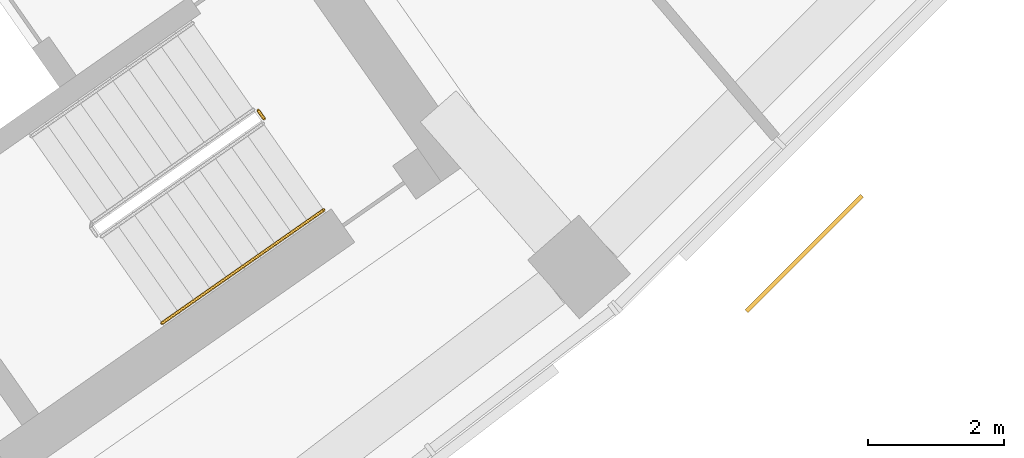
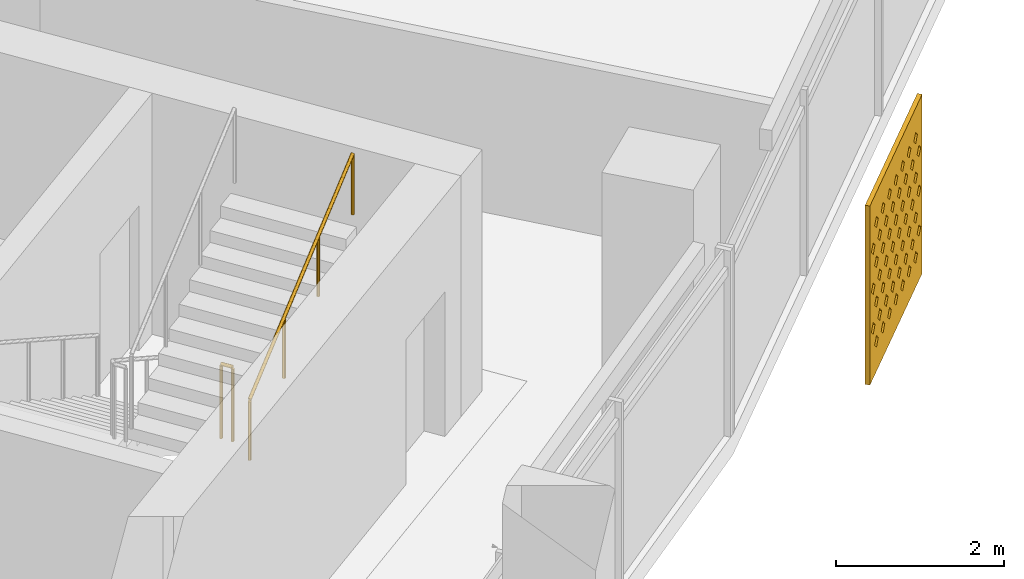
# One storey, part 27 of 27: 2 railings, 1 shading device.
"""IFC4 building model written with IfcOpenShell, lengths in metres."""

from ifc_helpers import new_model, si_unit, direction, frame, origin, origin_2d, place, context, subcontext, project, spatial, polyline, circle, outline, extrude, material, material_profile, profile_set, type_object, element, save


model = new_model("IFC4")

# Units and contexts
model_context = context("Model", 3, precision=1e-05, world=origin(), true_north=direction((0.0, 1.0)))
body_context = subcontext(model_context, "Body", "Model", "MODEL_VIEW")
ifc_project = project(units=[si_unit("LENGTHUNIT", "METRE"), si_unit("AREAUNIT", "SQUARE_METRE"), si_unit("VOLUMEUNIT", "CUBIC_METRE"), si_unit("PLANEANGLEUNIT", "RADIAN"), si_unit("MASSUNIT", "GRAM", prefix="KILO")], contexts=[model_context])

# Site, building, storey
site_placement = place(None, origin())
site = spatial("IfcSite", under=ifc_project, at=site_placement, CompositionType="ELEMENT")
building_placement = place(site_placement, origin())
building = spatial("IfcBuilding", under=site, at=building_placement, Name="Qamariyya Broadcast Tower", CompositionType="ELEMENT")
storey_placement = place(building_placement, frame((0.0, 0.0, 237.89990234375)))
storey = spatial("IfcBuildingStorey", under=building, at=storey_placement, Name="L57", CompositionType="ELEMENT", Elevation=237.89990234375)

# Shading device
ifc_material_1 = material(Name="Perforated glazed terracotta", Category="masonry")
ifc_material_profile = material_profile(ifc_material_1, outline(polyline([(-1.199951171875, -1.300048828125), (1.199951171875, -1.300048828125), (1.199951171875, 1.300048828125), (-1.199951171875, 1.300048828125), (-1.199951171875, -1.300048828125)]), holes=[polyline([(-0.81494140625, -0.86669921875), (-0.89990234375, -0.78173828125), (-0.985107421875, -0.86669921875), (-0.89990234375, -0.95166015625), (-0.81494140625, -0.86669921875)]), polyline([(-0.514892578125, -0.86669921875), (-0.60009765625, -0.78173828125), (-0.68505859375, -0.86669921875), (-0.60009765625, -0.95166015625), (-0.514892578125, -0.86669921875)]), polyline([(-0.215087890625, -0.86669921875), (-0.300048828125, -0.78173828125), (-0.385009765625, -0.86669921875), (-0.300048828125, -0.95166015625), (-0.215087890625, -0.86669921875)]), polyline([(0.0849609375, -0.86669921875), (0.0, -0.78173828125), (-0.0849609375, -0.86669921875), (0.0, -0.95166015625), (0.0849609375, -0.86669921875)]), polyline([(0.385009765625, -0.86669921875), (0.300048828125, -0.78173828125), (0.215087890625, -0.86669921875), (0.300048828125, -0.95166015625), (0.385009765625, -0.86669921875)]), polyline([(0.68505859375, -0.86669921875), (0.60009765625, -0.78173828125), (0.514892578125, -0.86669921875), (0.60009765625, -0.95166015625), (0.68505859375, -0.86669921875)]), polyline([(0.985107421875, -0.86669921875), (0.89990234375, -0.78173828125), (0.81494140625, -0.86669921875), (0.89990234375, -0.95166015625), (0.985107421875, -0.86669921875)]), polyline([(-0.965087890625, -0.577880859375), (-1.050048828125, -0.49267578125), (-1.135009765625, -0.577880859375), (-1.050048828125, -0.662841796875), (-0.965087890625, -0.577880859375)]), polyline([(-0.6650390625, -0.577880859375), (-0.75, -0.49267578125), (-0.8349609375, -0.577880859375), (-0.75, -0.662841796875), (-0.6650390625, -0.577880859375)]), polyline([(-0.364990234375, -0.577880859375), (-0.449951171875, -0.49267578125), (-0.534912109375, -0.577880859375), (-0.449951171875, -0.662841796875), (-0.364990234375, -0.577880859375)]), polyline([(-0.06494140625, -0.577880859375), (-0.14990234375, -0.49267578125), (-0.235107421875, -0.577880859375), (-0.14990234375, -0.662841796875), (-0.06494140625, -0.577880859375)]), polyline([(0.235107421875, -0.577880859375), (0.14990234375, -0.49267578125), (0.06494140625, -0.577880859375), (0.14990234375, -0.662841796875), (0.235107421875, -0.577880859375)]), polyline([(0.534912109375, -0.577880859375), (0.449951171875, -0.49267578125), (0.364990234375, -0.577880859375), (0.449951171875, -0.662841796875), (0.534912109375, -0.577880859375)]), polyline([(0.8349609375, -0.577880859375), (0.75, -0.49267578125), (0.6650390625, -0.577880859375), (0.75, -0.662841796875), (0.8349609375, -0.577880859375)]), polyline([(1.135009765625, -0.577880859375), (1.050048828125, -0.49267578125), (0.965087890625, -0.577880859375), (1.050048828125, -0.662841796875), (1.135009765625, -0.577880859375)]), polyline([(-0.81494140625, -0.288818359375), (-0.89990234375, -0.203857421875), (-0.985107421875, -0.288818359375), (-0.89990234375, -0.373779296875), (-0.81494140625, -0.288818359375)]), polyline([(-0.514892578125, -0.288818359375), (-0.60009765625, -0.203857421875), (-0.68505859375, -0.288818359375), (-0.60009765625, -0.373779296875), (-0.514892578125, -0.288818359375)]), polyline([(-0.215087890625, -0.288818359375), (-0.300048828125, -0.203857421875), (-0.385009765625, -0.288818359375), (-0.300048828125, -0.373779296875), (-0.215087890625, -0.288818359375)]), polyline([(0.0849609375, -0.288818359375), (0.0, -0.203857421875), (-0.0849609375, -0.288818359375), (0.0, -0.373779296875), (0.0849609375, -0.288818359375)]), polyline([(0.385009765625, -0.288818359375), (0.300048828125, -0.203857421875), (0.215087890625, -0.288818359375), (0.300048828125, -0.373779296875), (0.385009765625, -0.288818359375)]), polyline([(0.68505859375, -0.288818359375), (0.60009765625, -0.203857421875), (0.514892578125, -0.288818359375), (0.60009765625, -0.373779296875), (0.68505859375, -0.288818359375)]), polyline([(0.985107421875, -0.288818359375), (0.89990234375, -0.203857421875), (0.81494140625, -0.288818359375), (0.89990234375, -0.373779296875), (0.985107421875, -0.288818359375)]), polyline([(-0.965087890625, 0.0), (-1.050048828125, 0.0849609375), (-1.135009765625, 0.0), (-1.050048828125, -0.0849609375), (-0.965087890625, 0.0)]), polyline([(-0.6650390625, 0.0), (-0.75, 0.0849609375), (-0.8349609375, 0.0), (-0.75, -0.0849609375), (-0.6650390625, 0.0)]), polyline([(-0.364990234375, 0.0), (-0.449951171875, 0.0849609375), (-0.534912109375, 0.0), (-0.449951171875, -0.0849609375), (-0.364990234375, 0.0)]), polyline([(-0.06494140625, 0.0), (-0.14990234375, 0.0849609375), (-0.235107421875, 0.0), (-0.14990234375, -0.0849609375), (-0.06494140625, 0.0)]), polyline([(0.235107421875, 0.0), (0.14990234375, 0.0849609375), (0.06494140625, 0.0), (0.14990234375, -0.0849609375), (0.235107421875, 0.0)]), polyline([(0.534912109375, 0.0), (0.449951171875, 0.0849609375), (0.364990234375, 0.0), (0.449951171875, -0.0849609375), (0.534912109375, 0.0)]), polyline([(0.8349609375, 0.0), (0.75, 0.0849609375), (0.6650390625, 0.0), (0.75, -0.0849609375), (0.8349609375, 0.0)]), polyline([(1.135009765625, 0.0), (1.050048828125, 0.0849609375), (0.965087890625, 0.0), (1.050048828125, -0.0849609375), (1.135009765625, 0.0)]), polyline([(-0.81494140625, 0.288818359375), (-0.89990234375, 0.373779296875), (-0.985107421875, 0.288818359375), (-0.89990234375, 0.203857421875), (-0.81494140625, 0.288818359375)]), polyline([(-0.514892578125, 0.288818359375), (-0.60009765625, 0.373779296875), (-0.68505859375, 0.288818359375), (-0.60009765625, 0.203857421875), (-0.514892578125, 0.288818359375)]), polyline([(-0.215087890625, 0.288818359375), (-0.300048828125, 0.373779296875), (-0.385009765625, 0.288818359375), (-0.300048828125, 0.203857421875), (-0.215087890625, 0.288818359375)]), polyline([(0.0849609375, 0.288818359375), (0.0, 0.373779296875), (-0.0849609375, 0.288818359375), (0.0, 0.203857421875), (0.0849609375, 0.288818359375)]), polyline([(0.385009765625, 0.288818359375), (0.300048828125, 0.373779296875), (0.215087890625, 0.288818359375), (0.300048828125, 0.203857421875), (0.385009765625, 0.288818359375)]), polyline([(0.68505859375, 0.288818359375), (0.60009765625, 0.373779296875), (0.514892578125, 0.288818359375), (0.60009765625, 0.203857421875), (0.68505859375, 0.288818359375)]), polyline([(0.985107421875, 0.288818359375), (0.89990234375, 0.373779296875), (0.81494140625, 0.288818359375), (0.89990234375, 0.203857421875), (0.985107421875, 0.288818359375)]), polyline([(-0.965087890625, 0.577880859375), (-1.050048828125, 0.662841796875), (-1.135009765625, 0.577880859375), (-1.050048828125, 0.49267578125), (-0.965087890625, 0.577880859375)]), polyline([(-0.6650390625, 0.577880859375), (-0.75, 0.662841796875), (-0.8349609375, 0.577880859375), (-0.75, 0.49267578125), (-0.6650390625, 0.577880859375)]), polyline([(-0.364990234375, 0.577880859375), (-0.449951171875, 0.662841796875), (-0.534912109375, 0.577880859375), (-0.449951171875, 0.49267578125), (-0.364990234375, 0.577880859375)]), polyline([(-0.06494140625, 0.577880859375), (-0.14990234375, 0.662841796875), (-0.235107421875, 0.577880859375), (-0.14990234375, 0.49267578125), (-0.06494140625, 0.577880859375)]), polyline([(0.235107421875, 0.577880859375), (0.14990234375, 0.662841796875), (0.06494140625, 0.577880859375), (0.14990234375, 0.49267578125), (0.235107421875, 0.577880859375)]), polyline([(0.534912109375, 0.577880859375), (0.449951171875, 0.662841796875), (0.364990234375, 0.577880859375), (0.449951171875, 0.49267578125), (0.534912109375, 0.577880859375)]), polyline([(0.8349609375, 0.577880859375), (0.75, 0.662841796875), (0.6650390625, 0.577880859375), (0.75, 0.49267578125), (0.8349609375, 0.577880859375)]), polyline([(1.135009765625, 0.577880859375), (1.050048828125, 0.662841796875), (0.965087890625, 0.577880859375), (1.050048828125, 0.49267578125), (1.135009765625, 0.577880859375)]), polyline([(-0.81494140625, 0.86669921875), (-0.89990234375, 0.95166015625), (-0.985107421875, 0.86669921875), (-0.89990234375, 0.78173828125), (-0.81494140625, 0.86669921875)]), polyline([(-0.514892578125, 0.86669921875), (-0.60009765625, 0.95166015625), (-0.68505859375, 0.86669921875), (-0.60009765625, 0.78173828125), (-0.514892578125, 0.86669921875)]), polyline([(-0.215087890625, 0.86669921875), (-0.300048828125, 0.95166015625), (-0.385009765625, 0.86669921875), (-0.300048828125, 0.78173828125), (-0.215087890625, 0.86669921875)]), polyline([(0.0849609375, 0.86669921875), (0.0, 0.95166015625), (-0.0849609375, 0.86669921875), (0.0, 0.78173828125), (0.0849609375, 0.86669921875)]), polyline([(0.385009765625, 0.86669921875), (0.300048828125, 0.95166015625), (0.215087890625, 0.86669921875), (0.300048828125, 0.78173828125), (0.385009765625, 0.86669921875)]), polyline([(0.68505859375, 0.86669921875), (0.60009765625, 0.95166015625), (0.514892578125, 0.86669921875), (0.60009765625, 0.78173828125), (0.68505859375, 0.86669921875)]), polyline([(0.985107421875, 0.86669921875), (0.89990234375, 0.95166015625), (0.81494140625, 0.86669921875), (0.89990234375, 0.78173828125), (0.985107421875, 0.86669921875)])]))
ifc_profile_set = profile_set([ifc_material_profile], Name="Perforated glazed terracotta")
shading_device_type = type_object("IfcShadingDeviceType", Name="Perforated terracotta screen 2400 x 2600", PredefinedType="USERDEFINED", material=ifc_profile_set)
shading_device_placement = place(storey_placement, frame((54.548828125, -58.237060546875, 1.35009765625), z_axis=(0.707106781187, -0.707106781187, 0.0), x_axis=(0.707106781187, 0.707106781187, 0.0)))
element("IfcShadingDevice", 1, at=shading_device_placement, inside=storey, type_object=shading_device_type, Name="e-scr-L57-14-0", ObjectType="SCREEN", PredefinedType="USERDEFINED", context=body_context, shape_type="SweptSolid", body=[
    extrude(outline(polyline([(-1.199951171875, -1.300048828125), (1.199951171875, -1.300048828125), (1.199951171875, 1.300048828125), (-1.199951171875, 1.300048828125), (-1.199951171875, -1.300048828125)]), holes=[polyline([(-0.81494140625, -0.86669921875), (-0.89990234375, -0.78173828125), (-0.985107421875, -0.86669921875), (-0.89990234375, -0.95166015625), (-0.81494140625, -0.86669921875)]), polyline([(-0.514892578125, -0.86669921875), (-0.60009765625, -0.78173828125), (-0.68505859375, -0.86669921875), (-0.60009765625, -0.95166015625), (-0.514892578125, -0.86669921875)]), polyline([(-0.215087890625, -0.86669921875), (-0.300048828125, -0.78173828125), (-0.385009765625, -0.86669921875), (-0.300048828125, -0.95166015625), (-0.215087890625, -0.86669921875)]), polyline([(0.0849609375, -0.86669921875), (0.0, -0.78173828125), (-0.0849609375, -0.86669921875), (0.0, -0.95166015625), (0.0849609375, -0.86669921875)]), polyline([(0.385009765625, -0.86669921875), (0.300048828125, -0.78173828125), (0.215087890625, -0.86669921875), (0.300048828125, -0.95166015625), (0.385009765625, -0.86669921875)]), polyline([(0.68505859375, -0.86669921875), (0.60009765625, -0.78173828125), (0.514892578125, -0.86669921875), (0.60009765625, -0.95166015625), (0.68505859375, -0.86669921875)]), polyline([(0.985107421875, -0.86669921875), (0.89990234375, -0.78173828125), (0.81494140625, -0.86669921875), (0.89990234375, -0.95166015625), (0.985107421875, -0.86669921875)]), polyline([(-0.965087890625, -0.577880859375), (-1.050048828125, -0.49267578125), (-1.135009765625, -0.577880859375), (-1.050048828125, -0.662841796875), (-0.965087890625, -0.577880859375)]), polyline([(-0.6650390625, -0.577880859375), (-0.75, -0.49267578125), (-0.8349609375, -0.577880859375), (-0.75, -0.662841796875), (-0.6650390625, -0.577880859375)]), polyline([(-0.364990234375, -0.577880859375), (-0.449951171875, -0.49267578125), (-0.534912109375, -0.577880859375), (-0.449951171875, -0.662841796875), (-0.364990234375, -0.577880859375)]), polyline([(-0.06494140625, -0.577880859375), (-0.14990234375, -0.49267578125), (-0.235107421875, -0.577880859375), (-0.14990234375, -0.662841796875), (-0.06494140625, -0.577880859375)]), polyline([(0.235107421875, -0.577880859375), (0.14990234375, -0.49267578125), (0.06494140625, -0.577880859375), (0.14990234375, -0.662841796875), (0.235107421875, -0.577880859375)]), polyline([(0.534912109375, -0.577880859375), (0.449951171875, -0.49267578125), (0.364990234375, -0.577880859375), (0.449951171875, -0.662841796875), (0.534912109375, -0.577880859375)]), polyline([(0.8349609375, -0.577880859375), (0.75, -0.49267578125), (0.6650390625, -0.577880859375), (0.75, -0.662841796875), (0.8349609375, -0.577880859375)]), polyline([(1.135009765625, -0.577880859375), (1.050048828125, -0.49267578125), (0.965087890625, -0.577880859375), (1.050048828125, -0.662841796875), (1.135009765625, -0.577880859375)]), polyline([(-0.81494140625, -0.288818359375), (-0.89990234375, -0.203857421875), (-0.985107421875, -0.288818359375), (-0.89990234375, -0.373779296875), (-0.81494140625, -0.288818359375)]), polyline([(-0.514892578125, -0.288818359375), (-0.60009765625, -0.203857421875), (-0.68505859375, -0.288818359375), (-0.60009765625, -0.373779296875), (-0.514892578125, -0.288818359375)]), polyline([(-0.215087890625, -0.288818359375), (-0.300048828125, -0.203857421875), (-0.385009765625, -0.288818359375), (-0.300048828125, -0.373779296875), (-0.215087890625, -0.288818359375)]), polyline([(0.0849609375, -0.288818359375), (0.0, -0.203857421875), (-0.0849609375, -0.288818359375), (0.0, -0.373779296875), (0.0849609375, -0.288818359375)]), polyline([(0.385009765625, -0.288818359375), (0.300048828125, -0.203857421875), (0.215087890625, -0.288818359375), (0.300048828125, -0.373779296875), (0.385009765625, -0.288818359375)]), polyline([(0.68505859375, -0.288818359375), (0.60009765625, -0.203857421875), (0.514892578125, -0.288818359375), (0.60009765625, -0.373779296875), (0.68505859375, -0.288818359375)]), polyline([(0.985107421875, -0.288818359375), (0.89990234375, -0.203857421875), (0.81494140625, -0.288818359375), (0.89990234375, -0.373779296875), (0.985107421875, -0.288818359375)]), polyline([(-0.965087890625, 0.0), (-1.050048828125, 0.0849609375), (-1.135009765625, 0.0), (-1.050048828125, -0.0849609375), (-0.965087890625, 0.0)]), polyline([(-0.6650390625, 0.0), (-0.75, 0.0849609375), (-0.8349609375, 0.0), (-0.75, -0.0849609375), (-0.6650390625, 0.0)]), polyline([(-0.364990234375, 0.0), (-0.449951171875, 0.0849609375), (-0.534912109375, 0.0), (-0.449951171875, -0.0849609375), (-0.364990234375, 0.0)]), polyline([(-0.06494140625, 0.0), (-0.14990234375, 0.0849609375), (-0.235107421875, 0.0), (-0.14990234375, -0.0849609375), (-0.06494140625, 0.0)]), polyline([(0.235107421875, 0.0), (0.14990234375, 0.0849609375), (0.06494140625, 0.0), (0.14990234375, -0.0849609375), (0.235107421875, 0.0)]), polyline([(0.534912109375, 0.0), (0.449951171875, 0.0849609375), (0.364990234375, 0.0), (0.449951171875, -0.0849609375), (0.534912109375, 0.0)]), polyline([(0.8349609375, 0.0), (0.75, 0.0849609375), (0.6650390625, 0.0), (0.75, -0.0849609375), (0.8349609375, 0.0)]), polyline([(1.135009765625, 0.0), (1.050048828125, 0.0849609375), (0.965087890625, 0.0), (1.050048828125, -0.0849609375), (1.135009765625, 0.0)]), polyline([(-0.81494140625, 0.288818359375), (-0.89990234375, 0.373779296875), (-0.985107421875, 0.288818359375), (-0.89990234375, 0.203857421875), (-0.81494140625, 0.288818359375)]), polyline([(-0.514892578125, 0.288818359375), (-0.60009765625, 0.373779296875), (-0.68505859375, 0.288818359375), (-0.60009765625, 0.203857421875), (-0.514892578125, 0.288818359375)]), polyline([(-0.215087890625, 0.288818359375), (-0.300048828125, 0.373779296875), (-0.385009765625, 0.288818359375), (-0.300048828125, 0.203857421875), (-0.215087890625, 0.288818359375)]), polyline([(0.0849609375, 0.288818359375), (0.0, 0.373779296875), (-0.0849609375, 0.288818359375), (0.0, 0.203857421875), (0.0849609375, 0.288818359375)]), polyline([(0.385009765625, 0.288818359375), (0.300048828125, 0.373779296875), (0.215087890625, 0.288818359375), (0.300048828125, 0.203857421875), (0.385009765625, 0.288818359375)]), polyline([(0.68505859375, 0.288818359375), (0.60009765625, 0.373779296875), (0.514892578125, 0.288818359375), (0.60009765625, 0.203857421875), (0.68505859375, 0.288818359375)]), polyline([(0.985107421875, 0.288818359375), (0.89990234375, 0.373779296875), (0.81494140625, 0.288818359375), (0.89990234375, 0.203857421875), (0.985107421875, 0.288818359375)]), polyline([(-0.965087890625, 0.577880859375), (-1.050048828125, 0.662841796875), (-1.135009765625, 0.577880859375), (-1.050048828125, 0.49267578125), (-0.965087890625, 0.577880859375)]), polyline([(-0.6650390625, 0.577880859375), (-0.75, 0.662841796875), (-0.8349609375, 0.577880859375), (-0.75, 0.49267578125), (-0.6650390625, 0.577880859375)]), polyline([(-0.364990234375, 0.577880859375), (-0.449951171875, 0.662841796875), (-0.534912109375, 0.577880859375), (-0.449951171875, 0.49267578125), (-0.364990234375, 0.577880859375)]), polyline([(-0.06494140625, 0.577880859375), (-0.14990234375, 0.662841796875), (-0.235107421875, 0.577880859375), (-0.14990234375, 0.49267578125), (-0.06494140625, 0.577880859375)]), polyline([(0.235107421875, 0.577880859375), (0.14990234375, 0.662841796875), (0.06494140625, 0.577880859375), (0.14990234375, 0.49267578125), (0.235107421875, 0.577880859375)]), polyline([(0.534912109375, 0.577880859375), (0.449951171875, 0.662841796875), (0.364990234375, 0.577880859375), (0.449951171875, 0.49267578125), (0.534912109375, 0.577880859375)]), polyline([(0.8349609375, 0.577880859375), (0.75, 0.662841796875), (0.6650390625, 0.577880859375), (0.75, 0.49267578125), (0.8349609375, 0.577880859375)]), polyline([(1.135009765625, 0.577880859375), (1.050048828125, 0.662841796875), (0.965087890625, 0.577880859375), (1.050048828125, 0.49267578125), (1.135009765625, 0.577880859375)]), polyline([(-0.81494140625, 0.86669921875), (-0.89990234375, 0.95166015625), (-0.985107421875, 0.86669921875), (-0.89990234375, 0.78173828125), (-0.81494140625, 0.86669921875)]), polyline([(-0.514892578125, 0.86669921875), (-0.60009765625, 0.95166015625), (-0.68505859375, 0.86669921875), (-0.60009765625, 0.78173828125), (-0.514892578125, 0.86669921875)]), polyline([(-0.215087890625, 0.86669921875), (-0.300048828125, 0.95166015625), (-0.385009765625, 0.86669921875), (-0.300048828125, 0.78173828125), (-0.215087890625, 0.86669921875)]), polyline([(0.0849609375, 0.86669921875), (0.0, 0.95166015625), (-0.0849609375, 0.86669921875), (0.0, 0.78173828125), (0.0849609375, 0.86669921875)]), polyline([(0.385009765625, 0.86669921875), (0.300048828125, 0.95166015625), (0.215087890625, 0.86669921875), (0.300048828125, 0.78173828125), (0.385009765625, 0.86669921875)]), polyline([(0.68505859375, 0.86669921875), (0.60009765625, 0.95166015625), (0.514892578125, 0.86669921875), (0.60009765625, 0.78173828125), (0.68505859375, 0.86669921875)]), polyline([(0.985107421875, 0.86669921875), (0.89990234375, 0.95166015625), (0.81494140625, 0.86669921875), (0.89990234375, 0.78173828125), (0.985107421875, 0.86669921875)])]), origin(), (0.0, 0.0, 1.0), 0.06005859375),
])

# Railings
ifc_material_2 = material(Name="Painted steel", Category="steel")
railing_type_1 = type_object("IfcRailingType", Name="Stair guard", PredefinedType="GUARDRAIL", material=ifc_material_2)
railing_1_placement = place(storey_placement, frame((46.550537109375, -56.1552734375, 0.0)))
element("IfcRailing", 2, at=railing_1_placement, inside=storey, type_object=railing_type_1, Name="L57 ST-E1 stair guard 3", PredefinedType="GUARDRAIL", context=body_context, shape_type="SweptSolid", body=[
    extrude(circle(Radius=0.02392578125, at=origin_2d()), frame((0.0, 0.0, 1.076171875), z_axis=(0.574444878118, -0.818543268254, 0.0), x_axis=(0.818543268254, 0.574444878118, 0.0)), (0.0, 0.0, 1.0), 0.150146484375),
    extrude(circle(Radius=0.02099609375, at=origin_2d()), origin(), (0.0, 0.0, 1.0), 1.052001953125),
    extrude(circle(Radius=0.02099609375, at=origin_2d()), frame((0.086181640625, -0.122802734375, 0.0)), (0.0, 0.0, 1.0), 1.052001953125),
])
ifc_material_3 = material(Name="Stainless steel", Category="steel")
railing_type_2 = type_object("IfcRailingType", Name="Stair handrail", PredefinedType="HANDRAIL", material=ifc_material_3)
railing_2_placement = place(storey_placement, frame((45.137939453125, -59.28076171875, 2.07275390625)))
element("IfcRailing", 3, at=railing_2_placement, inside=storey, type_object=railing_type_2, Name="L57 ST-E1 stair handrail 2", PredefinedType="HANDRAIL", context=body_context, shape_type="SweptSolid", body=[
    extrude(circle(Radius=0.02392578125, at=origin_2d()), frame((0.0, 0.0, 0.8759765625), z_axis=(0.703770094002, 0.492783725636, 0.511734163933), x_axis=(-0.573575343427, 0.819152809562, 0.0)), (0.0, 0.0, 1.0), 3.37548828125),
    extrude(circle(Radius=0.02099609375, at=origin_2d()), origin(), (0.0, 0.0, 1.0), 0.851806640625),
    extrude(circle(Radius=0.02099609375, at=origin_2d()), frame((0.791748046875, 0.554443359375, 0.57568359375)), (0.0, 0.0, 1.0), 0.851806640625),
    extrude(circle(Radius=0.02099609375, at=origin_2d()), frame((1.583740234375, 1.10888671875, 1.151611328125)), (0.0, 0.0, 1.0), 0.851806640625),
    extrude(circle(Radius=0.02099609375, at=origin_2d()), frame((2.37548828125, 1.663330078125, 1.727294921875)), (0.0, 0.0, 1.0), 0.851806640625),
])

save(model, "model.ifc")
